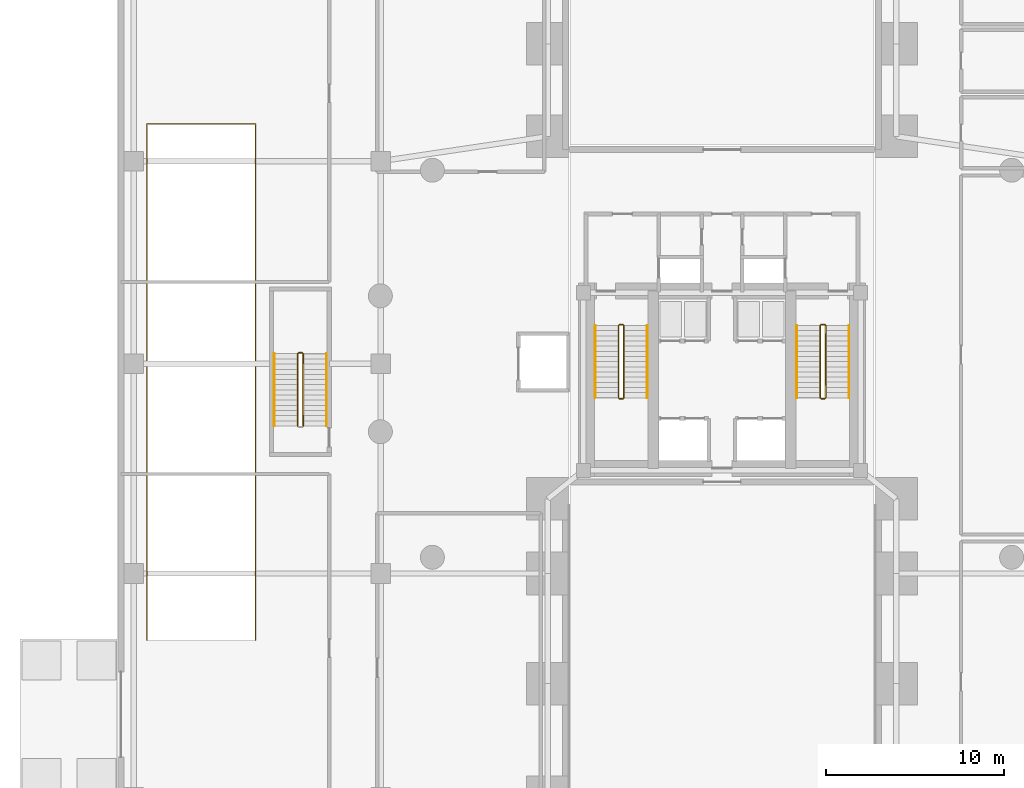
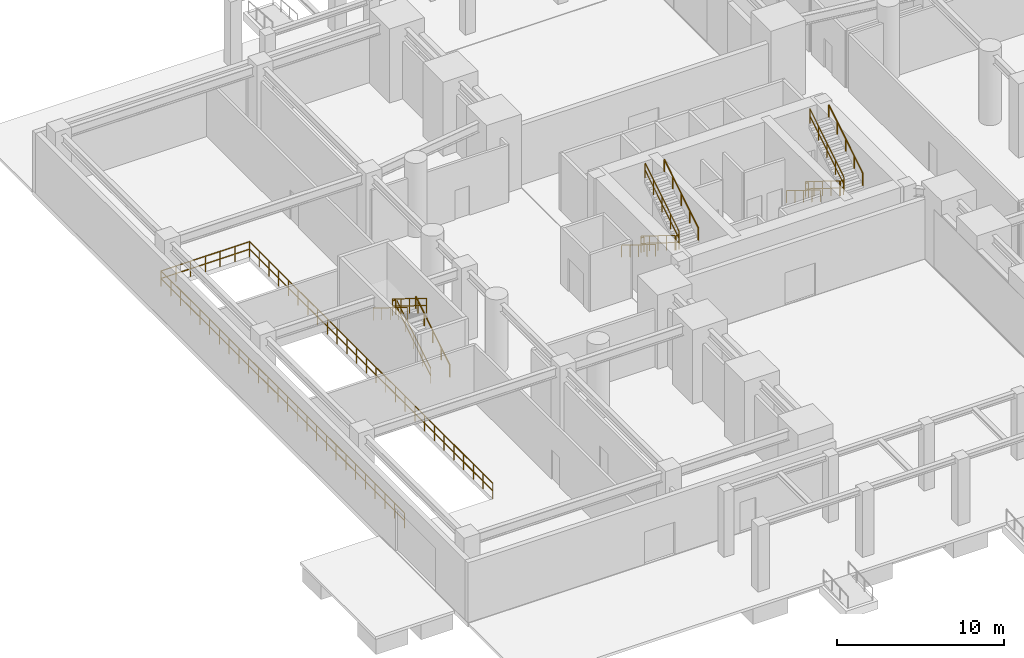
# One storey, part 9 of 11: 18 railings.
"""IFC4 building model written with IfcOpenShell, lengths in metres."""

from ifc_helpers import new_model, si_unit, direction, frame, origin, origin_2d, place, context, subcontext, project, spatial, rectangle, extrude, material, type_object, element, save


model = new_model("IFC4")

# Units and contexts
model_context = context("Model", 3, precision=1e-05, world=origin(), true_north=direction((0.0, 1.0)))
body_context = subcontext(model_context, "Body", "Model", "MODEL_VIEW")
ifc_project = project(units=[si_unit("LENGTHUNIT", "METRE"), si_unit("AREAUNIT", "SQUARE_METRE"), si_unit("VOLUMEUNIT", "CUBIC_METRE"), si_unit("PLANEANGLEUNIT", "RADIAN"), si_unit("MASSUNIT", "GRAM", prefix="KILO"), si_unit("THERMODYNAMICTEMPERATUREUNIT", "KELVIN"), si_unit("POWERUNIT", "WATT")], contexts=[model_context])

# Site, building, storey
site_placement = place(None, origin())
site = spatial("IfcSite", under=ifc_project, at=site_placement, CompositionType="ELEMENT")
building_placement = place(site_placement, origin())
building = spatial("IfcBuilding", under=site, at=building_placement, Name="Ocrelia Relay Tower", CompositionType="ELEMENT")
storey_placement = place(building_placement, origin())
storey = spatial("IfcBuildingStorey", under=building, at=storey_placement, Name="L00", CompositionType="ELEMENT", Elevation=0.0)

# Railings
ifc_material_1 = material(Name="Steel S355 atrium balustrade", Category="steel")
railing_type_1 = type_object("IfcRailingType", Name="RL-INT-GUARD-115", PredefinedType="GUARDRAIL", material=ifc_material_1)
railing_1_placement = place(storey_placement, frame((1.64990234375, 10.449951171875, 0.0)))
element("IfcRailing", 1, at=railing_1_placement, inside=storey, type_object=railing_type_1, Name="L00 West Ramp Well Perimeter Guard", PredefinedType="GUARDRAIL", context=body_context, shape_type="SweptSolid", body=[
    extrude(rectangle(XDim=0.048095703125, YDim=0.048095703125, at=origin_2d()), frame((0.0, 0.0, 1.1259765625), z_axis=(0.0, 1.0, 0.0), x_axis=(-1.0, 0.0, 0.0)), (0.0, 0.0, 1.0), 29.050048828125),
    extrude(rectangle(XDim=0.048095703125, YDim=0.048095703125, at=origin_2d()), frame((0.0, 0.0, 0.574951171875), z_axis=(0.0, 1.0, 0.0), x_axis=(-1.0, 0.0, 0.0)), (0.0, 0.0, 1.0), 29.050048828125),
    extrude(rectangle(XDim=0.048095703125, YDim=0.048095703125, at=origin_2d()), frame((0.0, 29.050048828125, 1.1259765625), z_axis=(1.0, 0.0, 0.0), x_axis=(0.0, 1.0, 0.0)), (0.0, 0.0, 1.0), 6.10009765625),
    extrude(rectangle(XDim=0.048095703125, YDim=0.048095703125, at=origin_2d()), frame((0.0, 29.050048828125, 0.574951171875), z_axis=(1.0, 0.0, 0.0), x_axis=(0.0, 1.0, 0.0)), (0.0, 0.0, 1.0), 6.10009765625),
    extrude(rectangle(XDim=0.048095703125, YDim=0.048095703125, at=origin_2d()), frame((6.10009765625, 29.050048828125, 1.1259765625), z_axis=(0.0, -1.0, 0.0), x_axis=(1.0, 0.0, 0.0)), (0.0, 0.0, 1.0), 29.050048828125),
    extrude(rectangle(XDim=0.048095703125, YDim=0.048095703125, at=origin_2d()), frame((6.10009765625, 29.050048828125, 0.574951171875), z_axis=(0.0, -1.0, 0.0), x_axis=(1.0, 0.0, 0.0)), (0.0, 0.0, 1.0), 29.050048828125),
    extrude(rectangle(XDim=0.0419921875, YDim=0.0419921875, at=origin_2d()), origin(), (0.0, 0.0, 1.0), 1.101806640625),
    extrude(rectangle(XDim=0.0419921875, YDim=0.0419921875, at=origin_2d()), frame((0.0, 1.162109375, 0.0)), (0.0, 0.0, 1.0), 1.101806640625),
    extrude(rectangle(XDim=0.0419921875, YDim=0.0419921875, at=origin_2d()), frame((0.0, 2.323974609375, 0.0)), (0.0, 0.0, 1.0), 1.101806640625),
    extrude(rectangle(XDim=0.0419921875, YDim=0.0419921875, at=origin_2d()), frame((0.0, 3.486083984375, 0.0)), (0.0, 0.0, 1.0), 1.101806640625),
    extrude(rectangle(XDim=0.0419921875, YDim=0.0419921875, at=origin_2d()), frame((0.0, 4.64794921875, 0.0)), (0.0, 0.0, 1.0), 1.101806640625),
    extrude(rectangle(XDim=0.0419921875, YDim=0.0419921875, at=origin_2d()), frame((0.0, 5.81005859375, 0.0)), (0.0, 0.0, 1.0), 1.101806640625),
    extrude(rectangle(XDim=0.0419921875, YDim=0.0419921875, at=origin_2d()), frame((0.0, 6.971923828125, 0.0)), (0.0, 0.0, 1.0), 1.101806640625),
    extrude(rectangle(XDim=0.0419921875, YDim=0.0419921875, at=origin_2d()), frame((0.0, 8.134033203125, 0.0)), (0.0, 0.0, 1.0), 1.101806640625),
    extrude(rectangle(XDim=0.0419921875, YDim=0.0419921875, at=origin_2d()), frame((0.0, 9.2958984375, 0.0)), (0.0, 0.0, 1.0), 1.101806640625),
    extrude(rectangle(XDim=0.0419921875, YDim=0.0419921875, at=origin_2d()), frame((0.0, 10.4580078125, 0.0)), (0.0, 0.0, 1.0), 1.101806640625),
    extrude(rectangle(XDim=0.0419921875, YDim=0.0419921875, at=origin_2d()), frame((0.0, 11.6201171875, 0.0)), (0.0, 0.0, 1.0), 1.101806640625),
    extrude(rectangle(XDim=0.0419921875, YDim=0.0419921875, at=origin_2d()), frame((0.0, 12.781982421875, 0.0)), (0.0, 0.0, 1.0), 1.101806640625),
    extrude(rectangle(XDim=0.0419921875, YDim=0.0419921875, at=origin_2d()), frame((0.0, 13.944091796875, 0.0)), (0.0, 0.0, 1.0), 1.101806640625),
    extrude(rectangle(XDim=0.0419921875, YDim=0.0419921875, at=origin_2d()), frame((0.0, 15.10595703125, 0.0)), (0.0, 0.0, 1.0), 1.101806640625),
    extrude(rectangle(XDim=0.0419921875, YDim=0.0419921875, at=origin_2d()), frame((0.0, 16.26806640625, 0.0)), (0.0, 0.0, 1.0), 1.101806640625),
    extrude(rectangle(XDim=0.0419921875, YDim=0.0419921875, at=origin_2d()), frame((0.0, 17.429931640625, 0.0)), (0.0, 0.0, 1.0), 1.101806640625),
    extrude(rectangle(XDim=0.0419921875, YDim=0.0419921875, at=origin_2d()), frame((0.0, 18.592041015625, 0.0)), (0.0, 0.0, 1.0), 1.101806640625),
    extrude(rectangle(XDim=0.0419921875, YDim=0.0419921875, at=origin_2d()), frame((0.0, 19.754150390625, 0.0)), (0.0, 0.0, 1.0), 1.101806640625),
    extrude(rectangle(XDim=0.0419921875, YDim=0.0419921875, at=origin_2d()), frame((0.0, 20.916015625, 0.0)), (0.0, 0.0, 1.0), 1.101806640625),
    extrude(rectangle(XDim=0.0419921875, YDim=0.0419921875, at=origin_2d()), frame((0.0, 22.078125, 0.0)), (0.0, 0.0, 1.0), 1.101806640625),
    extrude(rectangle(XDim=0.0419921875, YDim=0.0419921875, at=origin_2d()), frame((0.0, 23.239990234375, 0.0)), (0.0, 0.0, 1.0), 1.101806640625),
    extrude(rectangle(XDim=0.0419921875, YDim=0.0419921875, at=origin_2d()), frame((0.0, 24.402099609375, 0.0)), (0.0, 0.0, 1.0), 1.101806640625),
    extrude(rectangle(XDim=0.0419921875, YDim=0.0419921875, at=origin_2d()), frame((0.0, 25.56396484375, 0.0)), (0.0, 0.0, 1.0), 1.101806640625),
    extrude(rectangle(XDim=0.0419921875, YDim=0.0419921875, at=origin_2d()), frame((0.0, 26.72607421875, 0.0)), (0.0, 0.0, 1.0), 1.101806640625),
    extrude(rectangle(XDim=0.0419921875, YDim=0.0419921875, at=origin_2d()), frame((0.0, 27.887939453125, 0.0)), (0.0, 0.0, 1.0), 1.101806640625),
    extrude(rectangle(XDim=0.0419921875, YDim=0.0419921875, at=origin_2d()), frame((0.0, 29.050048828125, 0.0)), (0.0, 0.0, 1.0), 1.101806640625),
    extrude(rectangle(XDim=0.0419921875, YDim=0.0419921875, at=origin_2d()), frame((1.0166015625, 29.050048828125, 0.0)), (0.0, 0.0, 1.0), 1.101806640625),
    extrude(rectangle(XDim=0.0419921875, YDim=0.0419921875, at=origin_2d()), frame((2.033447265625, 29.050048828125, 0.0)), (0.0, 0.0, 1.0), 1.101806640625),
    extrude(rectangle(XDim=0.0419921875, YDim=0.0419921875, at=origin_2d()), frame((3.050048828125, 29.050048828125, 0.0)), (0.0, 0.0, 1.0), 1.101806640625),
    extrude(rectangle(XDim=0.0419921875, YDim=0.0419921875, at=origin_2d()), frame((4.066650390625, 29.050048828125, 0.0)), (0.0, 0.0, 1.0), 1.101806640625),
    extrude(rectangle(XDim=0.0419921875, YDim=0.0419921875, at=origin_2d()), frame((5.08349609375, 29.050048828125, 0.0)), (0.0, 0.0, 1.0), 1.101806640625),
    extrude(rectangle(XDim=0.0419921875, YDim=0.0419921875, at=origin_2d()), frame((6.10009765625, 29.050048828125, 0.0)), (0.0, 0.0, 1.0), 1.101806640625),
    extrude(rectangle(XDim=0.0419921875, YDim=0.0419921875, at=origin_2d()), frame((6.10009765625, 27.887939453125, 0.0)), (0.0, 0.0, 1.0), 1.101806640625),
    extrude(rectangle(XDim=0.0419921875, YDim=0.0419921875, at=origin_2d()), frame((6.10009765625, 26.72607421875, 0.0)), (0.0, 0.0, 1.0), 1.101806640625),
    extrude(rectangle(XDim=0.0419921875, YDim=0.0419921875, at=origin_2d()), frame((6.10009765625, 25.56396484375, 0.0)), (0.0, 0.0, 1.0), 1.101806640625),
    extrude(rectangle(XDim=0.0419921875, YDim=0.0419921875, at=origin_2d()), frame((6.10009765625, 24.402099609375, 0.0)), (0.0, 0.0, 1.0), 1.101806640625),
    extrude(rectangle(XDim=0.0419921875, YDim=0.0419921875, at=origin_2d()), frame((6.10009765625, 23.239990234375, 0.0)), (0.0, 0.0, 1.0), 1.101806640625),
    extrude(rectangle(XDim=0.0419921875, YDim=0.0419921875, at=origin_2d()), frame((6.10009765625, 22.078125, 0.0)), (0.0, 0.0, 1.0), 1.101806640625),
    extrude(rectangle(XDim=0.0419921875, YDim=0.0419921875, at=origin_2d()), frame((6.10009765625, 20.916015625, 0.0)), (0.0, 0.0, 1.0), 1.101806640625),
    extrude(rectangle(XDim=0.0419921875, YDim=0.0419921875, at=origin_2d()), frame((6.10009765625, 19.754150390625, 0.0)), (0.0, 0.0, 1.0), 1.101806640625),
    extrude(rectangle(XDim=0.0419921875, YDim=0.0419921875, at=origin_2d()), frame((6.10009765625, 18.592041015625, 0.0)), (0.0, 0.0, 1.0), 1.101806640625),
    extrude(rectangle(XDim=0.0419921875, YDim=0.0419921875, at=origin_2d()), frame((6.10009765625, 17.429931640625, 0.0)), (0.0, 0.0, 1.0), 1.101806640625),
    extrude(rectangle(XDim=0.0419921875, YDim=0.0419921875, at=origin_2d()), frame((6.10009765625, 16.26806640625, 0.0)), (0.0, 0.0, 1.0), 1.101806640625),
    extrude(rectangle(XDim=0.0419921875, YDim=0.0419921875, at=origin_2d()), frame((6.10009765625, 15.10595703125, 0.0)), (0.0, 0.0, 1.0), 1.101806640625),
    extrude(rectangle(XDim=0.0419921875, YDim=0.0419921875, at=origin_2d()), frame((6.10009765625, 13.944091796875, 0.0)), (0.0, 0.0, 1.0), 1.101806640625),
    extrude(rectangle(XDim=0.0419921875, YDim=0.0419921875, at=origin_2d()), frame((6.10009765625, 12.781982421875, 0.0)), (0.0, 0.0, 1.0), 1.101806640625),
    extrude(rectangle(XDim=0.0419921875, YDim=0.0419921875, at=origin_2d()), frame((6.10009765625, 11.6201171875, 0.0)), (0.0, 0.0, 1.0), 1.101806640625),
    extrude(rectangle(XDim=0.0419921875, YDim=0.0419921875, at=origin_2d()), frame((6.10009765625, 10.4580078125, 0.0)), (0.0, 0.0, 1.0), 1.101806640625),
    extrude(rectangle(XDim=0.0419921875, YDim=0.0419921875, at=origin_2d()), frame((6.10009765625, 9.2958984375, 0.0)), (0.0, 0.0, 1.0), 1.101806640625),
    extrude(rectangle(XDim=0.0419921875, YDim=0.0419921875, at=origin_2d()), frame((6.10009765625, 8.134033203125, 0.0)), (0.0, 0.0, 1.0), 1.101806640625),
    extrude(rectangle(XDim=0.0419921875, YDim=0.0419921875, at=origin_2d()), frame((6.10009765625, 6.971923828125, 0.0)), (0.0, 0.0, 1.0), 1.101806640625),
    extrude(rectangle(XDim=0.0419921875, YDim=0.0419921875, at=origin_2d()), frame((6.10009765625, 5.81005859375, 0.0)), (0.0, 0.0, 1.0), 1.101806640625),
    extrude(rectangle(XDim=0.0419921875, YDim=0.0419921875, at=origin_2d()), frame((6.10009765625, 4.64794921875, 0.0)), (0.0, 0.0, 1.0), 1.101806640625),
    extrude(rectangle(XDim=0.0419921875, YDim=0.0419921875, at=origin_2d()), frame((6.10009765625, 3.486083984375, 0.0)), (0.0, 0.0, 1.0), 1.101806640625),
    extrude(rectangle(XDim=0.0419921875, YDim=0.0419921875, at=origin_2d()), frame((6.10009765625, 2.323974609375, 0.0)), (0.0, 0.0, 1.0), 1.101806640625),
    extrude(rectangle(XDim=0.0419921875, YDim=0.0419921875, at=origin_2d()), frame((6.10009765625, 1.162109375, 0.0)), (0.0, 0.0, 1.0), 1.101806640625),
    extrude(rectangle(XDim=0.0419921875, YDim=0.0419921875, at=origin_2d()), frame((6.10009765625, 0.0, 0.0)), (0.0, 0.0, 1.0), 1.101806640625),
])
ifc_material_2 = material(Name="Steel S355 balustrade", Category="steel")
railing_type_2 = type_object("IfcRailingType", Name="RL-STAIR-GUARD", PredefinedType="GUARDRAIL", material=ifc_material_2)
railing_2_placement = place(storey_placement, frame((28.179931640625, 28.14990234375, 0.179931640625)))
element("IfcRailing", 2, at=railing_2_placement, inside=storey, type_object=railing_type_2, Name="L00 ST1 stair guard 1", PredefinedType="GUARDRAIL", context=body_context, shape_type="SweptSolid", body=[
    extrude(rectangle(XDim=0.048095703125, YDim=0.048095703125, at=origin_2d()), frame((0.0, 0.0, 1.076171875), z_axis=(0.0, -0.849627535208, 0.527383211162), x_axis=(1.0, 0.0, 0.0)), (0.0, 0.0, 1.0), 4.7783203125),
    extrude(rectangle(XDim=0.048095703125, YDim=0.048095703125, at=origin_2d()), frame((0.0, 0.0, 0.550048828125), z_axis=(0.0, -0.849627535208, 0.527383211162), x_axis=(1.0, 0.0, 0.0)), (0.0, 0.0, 1.0), 4.7783203125),
    extrude(rectangle(XDim=0.0419921875, YDim=0.0419921875, at=origin_2d()), origin(), (0.0, 0.0, 1.0), 1.052001953125),
    extrude(rectangle(XDim=0.0419921875, YDim=0.0419921875, at=origin_2d()), frame((0.0, -1.014892578125, 0.6298828125)), (0.0, 0.0, 1.0), 1.052001953125),
    extrude(rectangle(XDim=0.0419921875, YDim=0.0419921875, at=origin_2d()), frame((0.0, -2.02978515625, 1.260009765625)), (0.0, 0.0, 1.0), 1.052001953125),
    extrude(rectangle(XDim=0.0419921875, YDim=0.0419921875, at=origin_2d()), frame((0.0, -3.044921875, 1.89013671875)), (0.0, 0.0, 1.0), 1.052001953125),
    extrude(rectangle(XDim=0.0419921875, YDim=0.0419921875, at=origin_2d()), frame((0.0, -4.059814453125, 2.52001953125)), (0.0, 0.0, 1.0), 1.052001953125),
])
railing_3_placement = place(storey_placement, frame((28.22998046875, 24.0400390625, 2.699951171875)))
element("IfcRailing", 3, at=railing_3_placement, inside=storey, type_object=railing_type_2, Name="L00 ST1 stair guard 2", PredefinedType="GUARDRAIL", context=body_context, shape_type="SweptSolid", body=[
    extrude(rectangle(XDim=0.048095703125, YDim=0.048095703125, at=origin_2d()), frame((0.0, 0.0, 1.076171875), z_axis=(1.0, 0.0, 0.0), x_axis=(0.0, 1.0, 0.0)), (0.0, 0.0, 1.0), 0.199951171875),
    extrude(rectangle(XDim=0.048095703125, YDim=0.048095703125, at=origin_2d()), frame((0.0, 0.0, 0.550048828125), z_axis=(1.0, 0.0, 0.0), x_axis=(0.0, 1.0, 0.0)), (0.0, 0.0, 1.0), 0.199951171875),
    extrude(rectangle(XDim=0.0419921875, YDim=0.0419921875, at=origin_2d()), origin(), (0.0, 0.0, 1.0), 1.052001953125),
    extrude(rectangle(XDim=0.0419921875, YDim=0.0419921875, at=origin_2d()), frame((0.199951171875, 0.0, 0.0)), (0.0, 0.0, 1.0), 1.052001953125),
])
railing_4_placement = place(storey_placement, frame((28.47998046875, 24.090087890625, 2.8798828125)))
element("IfcRailing", 4, at=railing_4_placement, inside=storey, type_object=railing_type_2, Name="L00 ST1 stair guard 3", PredefinedType="GUARDRAIL", context=body_context, shape_type="SweptSolid", body=[
    extrude(rectangle(XDim=0.048095703125, YDim=0.048095703125, at=origin_2d()), frame((0.0, 0.0, 1.076171875), z_axis=(0.0, 0.849627535208, 0.527383211162), x_axis=(-1.0, 0.0, 0.0)), (0.0, 0.0, 1.0), 4.7783203125),
    extrude(rectangle(XDim=0.048095703125, YDim=0.048095703125, at=origin_2d()), frame((0.0, 0.0, 0.550048828125), z_axis=(0.0, 0.849627535208, 0.527383211162), x_axis=(-1.0, 0.0, 0.0)), (0.0, 0.0, 1.0), 4.7783203125),
    extrude(rectangle(XDim=0.0419921875, YDim=0.0419921875, at=origin_2d()), origin(), (0.0, 0.0, 1.0), 1.052001953125),
    extrude(rectangle(XDim=0.0419921875, YDim=0.0419921875, at=origin_2d()), frame((0.0, 1.014892578125, 0.6298828125)), (0.0, 0.0, 1.0), 1.052001953125),
    extrude(rectangle(XDim=0.0419921875, YDim=0.0419921875, at=origin_2d()), frame((0.0, 2.02978515625, 1.260009765625)), (0.0, 0.0, 1.0), 1.052001953125),
    extrude(rectangle(XDim=0.0419921875, YDim=0.0419921875, at=origin_2d()), frame((0.0, 3.044921875, 1.89013671875)), (0.0, 0.0, 1.0), 1.052001953125),
    extrude(rectangle(XDim=0.0419921875, YDim=0.0419921875, at=origin_2d()), frame((0.0, 4.059814453125, 2.52001953125)), (0.0, 0.0, 1.0), 1.052001953125),
])
railing_5_placement = place(storey_placement, frame((28.22998046875, 28.199951171875, 0.0)))
element("IfcRailing", 5, at=railing_5_placement, inside=storey, type_object=railing_type_2, Name="L00 ST1 stair guard 4", PredefinedType="GUARDRAIL", context=body_context, shape_type="SweptSolid", body=[
    extrude(rectangle(XDim=0.048095703125, YDim=0.048095703125, at=origin_2d()), frame((0.0, 0.0, 1.076171875), z_axis=(1.0, 0.0, 0.0), x_axis=(0.0, 1.0, 0.0)), (0.0, 0.0, 1.0), 0.199951171875),
    extrude(rectangle(XDim=0.048095703125, YDim=0.048095703125, at=origin_2d()), frame((0.0, 0.0, 0.550048828125), z_axis=(1.0, 0.0, 0.0), x_axis=(0.0, 1.0, 0.0)), (0.0, 0.0, 1.0), 0.199951171875),
    extrude(rectangle(XDim=0.0419921875, YDim=0.0419921875, at=origin_2d()), origin(), (0.0, 0.0, 1.0), 1.052001953125),
    extrude(rectangle(XDim=0.0419921875, YDim=0.0419921875, at=origin_2d()), frame((0.199951171875, 0.0, 0.0)), (0.0, 0.0, 1.0), 1.052001953125),
])
railing_6_placement = place(storey_placement, frame((39.530029296875, 28.14990234375, 0.179931640625)))
element("IfcRailing", 6, at=railing_6_placement, inside=storey, type_object=railing_type_2, Name="L00 ST2 stair guard 1", PredefinedType="GUARDRAIL", context=body_context, shape_type="SweptSolid", body=[
    extrude(rectangle(XDim=0.048095703125, YDim=0.048095703125, at=origin_2d()), frame((0.0, 0.0, 1.076171875), z_axis=(0.0, -0.849627535208, 0.527383211162), x_axis=(1.0, 0.0, 0.0)), (0.0, 0.0, 1.0), 4.7783203125),
    extrude(rectangle(XDim=0.048095703125, YDim=0.048095703125, at=origin_2d()), frame((0.0, 0.0, 0.550048828125), z_axis=(0.0, -0.849627535208, 0.527383211162), x_axis=(1.0, 0.0, 0.0)), (0.0, 0.0, 1.0), 4.7783203125),
    extrude(rectangle(XDim=0.0419921875, YDim=0.0419921875, at=origin_2d()), origin(), (0.0, 0.0, 1.0), 1.052001953125),
    extrude(rectangle(XDim=0.0419921875, YDim=0.0419921875, at=origin_2d()), frame((0.0, -1.014892578125, 0.6298828125)), (0.0, 0.0, 1.0), 1.052001953125),
    extrude(rectangle(XDim=0.0419921875, YDim=0.0419921875, at=origin_2d()), frame((0.0, -2.02978515625, 1.260009765625)), (0.0, 0.0, 1.0), 1.052001953125),
    extrude(rectangle(XDim=0.0419921875, YDim=0.0419921875, at=origin_2d()), frame((0.0, -3.044921875, 1.89013671875)), (0.0, 0.0, 1.0), 1.052001953125),
    extrude(rectangle(XDim=0.0419921875, YDim=0.0419921875, at=origin_2d()), frame((0.0, -4.059814453125, 2.52001953125)), (0.0, 0.0, 1.0), 1.052001953125),
])
railing_7_placement = place(storey_placement, frame((39.580078125, 24.0400390625, 2.699951171875)))
element("IfcRailing", 7, at=railing_7_placement, inside=storey, type_object=railing_type_2, Name="L00 ST2 stair guard 2", PredefinedType="GUARDRAIL", context=body_context, shape_type="SweptSolid", body=[
    extrude(rectangle(XDim=0.048095703125, YDim=0.048095703125, at=origin_2d()), frame((0.0, 0.0, 1.076171875), z_axis=(1.0, 0.0, 0.0), x_axis=(0.0, 1.0, 0.0)), (0.0, 0.0, 1.0), 0.199951171875),
    extrude(rectangle(XDim=0.048095703125, YDim=0.048095703125, at=origin_2d()), frame((0.0, 0.0, 0.550048828125), z_axis=(1.0, 0.0, 0.0), x_axis=(0.0, 1.0, 0.0)), (0.0, 0.0, 1.0), 0.199951171875),
    extrude(rectangle(XDim=0.0419921875, YDim=0.0419921875, at=origin_2d()), origin(), (0.0, 0.0, 1.0), 1.052001953125),
    extrude(rectangle(XDim=0.0419921875, YDim=0.0419921875, at=origin_2d()), frame((0.199951171875, 0.0, 0.0)), (0.0, 0.0, 1.0), 1.052001953125),
])
railing_8_placement = place(storey_placement, frame((39.830078125, 24.090087890625, 2.8798828125)))
element("IfcRailing", 8, at=railing_8_placement, inside=storey, type_object=railing_type_2, Name="L00 ST2 stair guard 3", PredefinedType="GUARDRAIL", context=body_context, shape_type="SweptSolid", body=[
    extrude(rectangle(XDim=0.048095703125, YDim=0.048095703125, at=origin_2d()), frame((0.0, 0.0, 1.076171875), z_axis=(0.0, 0.849627535208, 0.527383211162), x_axis=(-1.0, 0.0, 0.0)), (0.0, 0.0, 1.0), 4.7783203125),
    extrude(rectangle(XDim=0.048095703125, YDim=0.048095703125, at=origin_2d()), frame((0.0, 0.0, 0.550048828125), z_axis=(0.0, 0.849627535208, 0.527383211162), x_axis=(-1.0, 0.0, 0.0)), (0.0, 0.0, 1.0), 4.7783203125),
    extrude(rectangle(XDim=0.0419921875, YDim=0.0419921875, at=origin_2d()), origin(), (0.0, 0.0, 1.0), 1.052001953125),
    extrude(rectangle(XDim=0.0419921875, YDim=0.0419921875, at=origin_2d()), frame((0.0, 1.014892578125, 0.6298828125)), (0.0, 0.0, 1.0), 1.052001953125),
    extrude(rectangle(XDim=0.0419921875, YDim=0.0419921875, at=origin_2d()), frame((0.0, 2.02978515625, 1.260009765625)), (0.0, 0.0, 1.0), 1.052001953125),
    extrude(rectangle(XDim=0.0419921875, YDim=0.0419921875, at=origin_2d()), frame((0.0, 3.044921875, 1.89013671875)), (0.0, 0.0, 1.0), 1.052001953125),
    extrude(rectangle(XDim=0.0419921875, YDim=0.0419921875, at=origin_2d()), frame((0.0, 4.059814453125, 2.52001953125)), (0.0, 0.0, 1.0), 1.052001953125),
])
railing_9_placement = place(storey_placement, frame((39.580078125, 28.199951171875, 0.0)))
element("IfcRailing", 9, at=railing_9_placement, inside=storey, type_object=railing_type_2, Name="L00 ST2 stair guard 4", PredefinedType="GUARDRAIL", context=body_context, shape_type="SweptSolid", body=[
    extrude(rectangle(XDim=0.048095703125, YDim=0.048095703125, at=origin_2d()), frame((0.0, 0.0, 1.076171875), z_axis=(1.0, 0.0, 0.0), x_axis=(0.0, 1.0, 0.0)), (0.0, 0.0, 1.0), 0.199951171875),
    extrude(rectangle(XDim=0.048095703125, YDim=0.048095703125, at=origin_2d()), frame((0.0, 0.0, 0.550048828125), z_axis=(1.0, 0.0, 0.0), x_axis=(0.0, 1.0, 0.0)), (0.0, 0.0, 1.0), 0.199951171875),
    extrude(rectangle(XDim=0.0419921875, YDim=0.0419921875, at=origin_2d()), origin(), (0.0, 0.0, 1.0), 1.052001953125),
    extrude(rectangle(XDim=0.0419921875, YDim=0.0419921875, at=origin_2d()), frame((0.199951171875, 0.0, 0.0)), (0.0, 0.0, 1.0), 1.052001953125),
])
railing_10_placement = place(storey_placement, frame((10.429931640625, 22.5, 0.179931640625)))
element("IfcRailing", 10, at=railing_10_placement, inside=storey, type_object=railing_type_2, Name="L00 ST3 stair guard 1", PredefinedType="GUARDRAIL", context=body_context, shape_type="SweptSolid", body=[
    extrude(rectangle(XDim=0.048095703125, YDim=0.048095703125, at=origin_2d()), frame((0.0, 0.0, 1.076171875), z_axis=(0.0, 0.849641744969, 0.527360318194), x_axis=(-1.0, 0.0, 0.0)), (0.0, 0.0, 1.0), 4.778564453125),
    extrude(rectangle(XDim=0.048095703125, YDim=0.048095703125, at=origin_2d()), frame((0.0, 0.0, 0.550048828125), z_axis=(0.0, 0.849641744969, 0.527360318194), x_axis=(-1.0, 0.0, 0.0)), (0.0, 0.0, 1.0), 4.778564453125),
    extrude(rectangle(XDim=0.0419921875, YDim=0.0419921875, at=origin_2d()), origin(), (0.0, 0.0, 1.0), 1.052001953125),
    extrude(rectangle(XDim=0.0419921875, YDim=0.0419921875, at=origin_2d()), frame((0.0, 1.01513671875, 0.6298828125)), (0.0, 0.0, 1.0), 1.052001953125),
    extrude(rectangle(XDim=0.0419921875, YDim=0.0419921875, at=origin_2d()), frame((0.0, 2.030029296875, 1.260009765625)), (0.0, 0.0, 1.0), 1.052001953125),
    extrude(rectangle(XDim=0.0419921875, YDim=0.0419921875, at=origin_2d()), frame((0.0, 3.044921875, 1.89013671875)), (0.0, 0.0, 1.0), 1.052001953125),
    extrude(rectangle(XDim=0.0419921875, YDim=0.0419921875, at=origin_2d()), frame((0.0, 4.06005859375, 2.52001953125)), (0.0, 0.0, 1.0), 1.052001953125),
])
railing_11_placement = place(storey_placement, frame((10.3798828125, 26.610107421875, 2.699951171875)))
element("IfcRailing", 11, at=railing_11_placement, inside=storey, type_object=railing_type_2, Name="L00 ST3 stair guard 2", PredefinedType="GUARDRAIL", context=body_context, shape_type="SweptSolid", body=[
    extrude(rectangle(XDim=0.048095703125, YDim=0.048095703125, at=origin_2d()), frame((0.0, 0.0, 1.076171875), z_axis=(-1.0, 0.0, 0.0), x_axis=(0.0, -1.0, 0.0)), (0.0, 0.0, 1.0), 0.199951171875),
    extrude(rectangle(XDim=0.048095703125, YDim=0.048095703125, at=origin_2d()), frame((0.0, 0.0, 0.550048828125), z_axis=(-1.0, 0.0, 0.0), x_axis=(0.0, -1.0, 0.0)), (0.0, 0.0, 1.0), 0.199951171875),
    extrude(rectangle(XDim=0.0419921875, YDim=0.0419921875, at=origin_2d()), origin(), (0.0, 0.0, 1.0), 1.052001953125),
    extrude(rectangle(XDim=0.0419921875, YDim=0.0419921875, at=origin_2d()), frame((-0.199951171875, 0.0, 0.0)), (0.0, 0.0, 1.0), 1.052001953125),
])
railing_12_placement = place(storey_placement, frame((10.1298828125, 26.56005859375, 2.8798828125)))
element("IfcRailing", 12, at=railing_12_placement, inside=storey, type_object=railing_type_2, Name="L00 ST3 stair guard 3", PredefinedType="GUARDRAIL", context=body_context, shape_type="SweptSolid", body=[
    extrude(rectangle(XDim=0.048095703125, YDim=0.048095703125, at=origin_2d()), frame((0.0, 0.0, 1.076171875), z_axis=(0.0, -0.849641744969, 0.527360318194), x_axis=(1.0, 0.0, 0.0)), (0.0, 0.0, 1.0), 4.778564453125),
    extrude(rectangle(XDim=0.048095703125, YDim=0.048095703125, at=origin_2d()), frame((0.0, 0.0, 0.550048828125), z_axis=(0.0, -0.849641744969, 0.527360318194), x_axis=(1.0, 0.0, 0.0)), (0.0, 0.0, 1.0), 4.778564453125),
    extrude(rectangle(XDim=0.0419921875, YDim=0.0419921875, at=origin_2d()), origin(), (0.0, 0.0, 1.0), 1.052001953125),
    extrude(rectangle(XDim=0.0419921875, YDim=0.0419921875, at=origin_2d()), frame((0.0, -1.01513671875, 0.6298828125)), (0.0, 0.0, 1.0), 1.052001953125),
    extrude(rectangle(XDim=0.0419921875, YDim=0.0419921875, at=origin_2d()), frame((0.0, -2.030029296875, 1.260009765625)), (0.0, 0.0, 1.0), 1.052001953125),
    extrude(rectangle(XDim=0.0419921875, YDim=0.0419921875, at=origin_2d()), frame((0.0, -3.044921875, 1.89013671875)), (0.0, 0.0, 1.0), 1.052001953125),
    extrude(rectangle(XDim=0.0419921875, YDim=0.0419921875, at=origin_2d()), frame((0.0, -4.06005859375, 2.52001953125)), (0.0, 0.0, 1.0), 1.052001953125),
])
ifc_material_3 = material(Name="Steel S355 tubular handrail", Category="steel")
railing_type_3 = type_object("IfcRailingType", Name="RL-STAIR-HAND", PredefinedType="HANDRAIL", material=ifc_material_3)
railing_13_placement = place(storey_placement, frame((26.860107421875, 28.14990234375, 0.179931640625)))
element("IfcRailing", 13, at=railing_13_placement, inside=storey, type_object=railing_type_3, Name="L00 ST1 stair handrail 1", PredefinedType="HANDRAIL", context=body_context, shape_type="SweptSolid", body=[
    extrude(rectangle(XDim=0.048095703125, YDim=0.048095703125, at=origin_2d()), frame((0.0, 0.0, 0.8759765625), z_axis=(0.0, -0.849627535208, 0.527383211162), x_axis=(1.0, 0.0, 0.0)), (0.0, 0.0, 1.0), 4.7783203125),
    extrude(rectangle(XDim=0.0419921875, YDim=0.0419921875, at=origin_2d()), origin(), (0.0, 0.0, 1.0), 0.851806640625),
    extrude(rectangle(XDim=0.0419921875, YDim=0.0419921875, at=origin_2d()), frame((0.0, -1.014892578125, 0.6298828125)), (0.0, 0.0, 1.0), 0.851806640625),
    extrude(rectangle(XDim=0.0419921875, YDim=0.0419921875, at=origin_2d()), frame((0.0, -2.02978515625, 1.260009765625)), (0.0, 0.0, 1.0), 0.851806640625),
    extrude(rectangle(XDim=0.0419921875, YDim=0.0419921875, at=origin_2d()), frame((0.0, -3.044921875, 1.89013671875)), (0.0, 0.0, 1.0), 0.851806640625),
    extrude(rectangle(XDim=0.0419921875, YDim=0.0419921875, at=origin_2d()), frame((0.0, -4.059814453125, 2.52001953125)), (0.0, 0.0, 1.0), 0.851806640625),
])
railing_14_placement = place(storey_placement, frame((29.800048828125, 24.090087890625, 2.8798828125)))
element("IfcRailing", 14, at=railing_14_placement, inside=storey, type_object=railing_type_3, Name="L00 ST1 stair handrail 2", PredefinedType="HANDRAIL", context=body_context, shape_type="SweptSolid", body=[
    extrude(rectangle(XDim=0.048095703125, YDim=0.048095703125, at=origin_2d()), frame((0.0, 0.0, 0.8759765625), z_axis=(0.0, 0.849627535208, 0.527383211162), x_axis=(-1.0, 0.0, 0.0)), (0.0, 0.0, 1.0), 4.7783203125),
    extrude(rectangle(XDim=0.0419921875, YDim=0.0419921875, at=origin_2d()), origin(), (0.0, 0.0, 1.0), 0.851806640625),
    extrude(rectangle(XDim=0.0419921875, YDim=0.0419921875, at=origin_2d()), frame((0.0, 1.014892578125, 0.6298828125)), (0.0, 0.0, 1.0), 0.851806640625),
    extrude(rectangle(XDim=0.0419921875, YDim=0.0419921875, at=origin_2d()), frame((0.0, 2.02978515625, 1.260009765625)), (0.0, 0.0, 1.0), 0.851806640625),
    extrude(rectangle(XDim=0.0419921875, YDim=0.0419921875, at=origin_2d()), frame((0.0, 3.044921875, 1.89013671875)), (0.0, 0.0, 1.0), 0.851806640625),
    extrude(rectangle(XDim=0.0419921875, YDim=0.0419921875, at=origin_2d()), frame((0.0, 4.059814453125, 2.52001953125)), (0.0, 0.0, 1.0), 0.851806640625),
])
railing_15_placement = place(storey_placement, frame((38.2099609375, 28.14990234375, 0.179931640625)))
element("IfcRailing", 15, at=railing_15_placement, inside=storey, type_object=railing_type_3, Name="L00 ST2 stair handrail 1", PredefinedType="HANDRAIL", context=body_context, shape_type="SweptSolid", body=[
    extrude(rectangle(XDim=0.048095703125, YDim=0.048095703125, at=origin_2d()), frame((0.0, 0.0, 0.8759765625), z_axis=(0.0, -0.849627535208, 0.527383211162), x_axis=(1.0, 0.0, 0.0)), (0.0, 0.0, 1.0), 4.7783203125),
    extrude(rectangle(XDim=0.0419921875, YDim=0.0419921875, at=origin_2d()), origin(), (0.0, 0.0, 1.0), 0.851806640625),
    extrude(rectangle(XDim=0.0419921875, YDim=0.0419921875, at=origin_2d()), frame((0.0, -1.014892578125, 0.6298828125)), (0.0, 0.0, 1.0), 0.851806640625),
    extrude(rectangle(XDim=0.0419921875, YDim=0.0419921875, at=origin_2d()), frame((0.0, -2.02978515625, 1.260009765625)), (0.0, 0.0, 1.0), 0.851806640625),
    extrude(rectangle(XDim=0.0419921875, YDim=0.0419921875, at=origin_2d()), frame((0.0, -3.044921875, 1.89013671875)), (0.0, 0.0, 1.0), 0.851806640625),
    extrude(rectangle(XDim=0.0419921875, YDim=0.0419921875, at=origin_2d()), frame((0.0, -4.059814453125, 2.52001953125)), (0.0, 0.0, 1.0), 0.851806640625),
])
railing_16_placement = place(storey_placement, frame((41.14990234375, 24.090087890625, 2.8798828125)))
element("IfcRailing", 16, at=railing_16_placement, inside=storey, type_object=railing_type_3, Name="L00 ST2 stair handrail 2", PredefinedType="HANDRAIL", context=body_context, shape_type="SweptSolid", body=[
    extrude(rectangle(XDim=0.048095703125, YDim=0.048095703125, at=origin_2d()), frame((0.0, 0.0, 0.8759765625), z_axis=(0.0, 0.849627535208, 0.527383211162), x_axis=(-1.0, 0.0, 0.0)), (0.0, 0.0, 1.0), 4.7783203125),
    extrude(rectangle(XDim=0.0419921875, YDim=0.0419921875, at=origin_2d()), origin(), (0.0, 0.0, 1.0), 0.851806640625),
    extrude(rectangle(XDim=0.0419921875, YDim=0.0419921875, at=origin_2d()), frame((0.0, 1.014892578125, 0.6298828125)), (0.0, 0.0, 1.0), 0.851806640625),
    extrude(rectangle(XDim=0.0419921875, YDim=0.0419921875, at=origin_2d()), frame((0.0, 2.02978515625, 1.260009765625)), (0.0, 0.0, 1.0), 0.851806640625),
    extrude(rectangle(XDim=0.0419921875, YDim=0.0419921875, at=origin_2d()), frame((0.0, 3.044921875, 1.89013671875)), (0.0, 0.0, 1.0), 0.851806640625),
    extrude(rectangle(XDim=0.0419921875, YDim=0.0419921875, at=origin_2d()), frame((0.0, 4.059814453125, 2.52001953125)), (0.0, 0.0, 1.0), 0.851806640625),
])
railing_17_placement = place(storey_placement, frame((11.75, 22.5, 0.179931640625)))
element("IfcRailing", 17, at=railing_17_placement, inside=storey, type_object=railing_type_3, Name="L00 ST3 stair handrail 1", PredefinedType="HANDRAIL", context=body_context, shape_type="SweptSolid", body=[
    extrude(rectangle(XDim=0.048095703125, YDim=0.048095703125, at=origin_2d()), frame((0.0, 0.0, 0.8759765625), z_axis=(0.0, 0.849641744969, 0.527360318194), x_axis=(-1.0, 0.0, 0.0)), (0.0, 0.0, 1.0), 4.778564453125),
    extrude(rectangle(XDim=0.0419921875, YDim=0.0419921875, at=origin_2d()), origin(), (0.0, 0.0, 1.0), 0.851806640625),
    extrude(rectangle(XDim=0.0419921875, YDim=0.0419921875, at=origin_2d()), frame((0.0, 1.01513671875, 0.6298828125)), (0.0, 0.0, 1.0), 0.851806640625),
    extrude(rectangle(XDim=0.0419921875, YDim=0.0419921875, at=origin_2d()), frame((0.0, 2.030029296875, 1.260009765625)), (0.0, 0.0, 1.0), 0.851806640625),
    extrude(rectangle(XDim=0.0419921875, YDim=0.0419921875, at=origin_2d()), frame((0.0, 3.044921875, 1.89013671875)), (0.0, 0.0, 1.0), 0.851806640625),
    extrude(rectangle(XDim=0.0419921875, YDim=0.0419921875, at=origin_2d()), frame((0.0, 4.06005859375, 2.52001953125)), (0.0, 0.0, 1.0), 0.851806640625),
])
railing_18_placement = place(storey_placement, frame((8.81005859375, 26.56005859375, 2.8798828125)))
element("IfcRailing", 18, at=railing_18_placement, inside=storey, type_object=railing_type_3, Name="L00 ST3 stair handrail 2", PredefinedType="HANDRAIL", context=body_context, shape_type="SweptSolid", body=[
    extrude(rectangle(XDim=0.048095703125, YDim=0.048095703125, at=origin_2d()), frame((0.0, 0.0, 0.8759765625), z_axis=(0.0, -0.849641744969, 0.527360318194), x_axis=(1.0, 0.0, 0.0)), (0.0, 0.0, 1.0), 4.778564453125),
    extrude(rectangle(XDim=0.0419921875, YDim=0.0419921875, at=origin_2d()), origin(), (0.0, 0.0, 1.0), 0.851806640625),
    extrude(rectangle(XDim=0.0419921875, YDim=0.0419921875, at=origin_2d()), frame((0.0, -1.01513671875, 0.6298828125)), (0.0, 0.0, 1.0), 0.851806640625),
    extrude(rectangle(XDim=0.0419921875, YDim=0.0419921875, at=origin_2d()), frame((0.0, -2.030029296875, 1.260009765625)), (0.0, 0.0, 1.0), 0.851806640625),
    extrude(rectangle(XDim=0.0419921875, YDim=0.0419921875, at=origin_2d()), frame((0.0, -3.044921875, 1.89013671875)), (0.0, 0.0, 1.0), 0.851806640625),
    extrude(rectangle(XDim=0.0419921875, YDim=0.0419921875, at=origin_2d()), frame((0.0, -4.06005859375, 2.52001953125)), (0.0, 0.0, 1.0), 0.851806640625),
])

save(model, "model.ifc")
